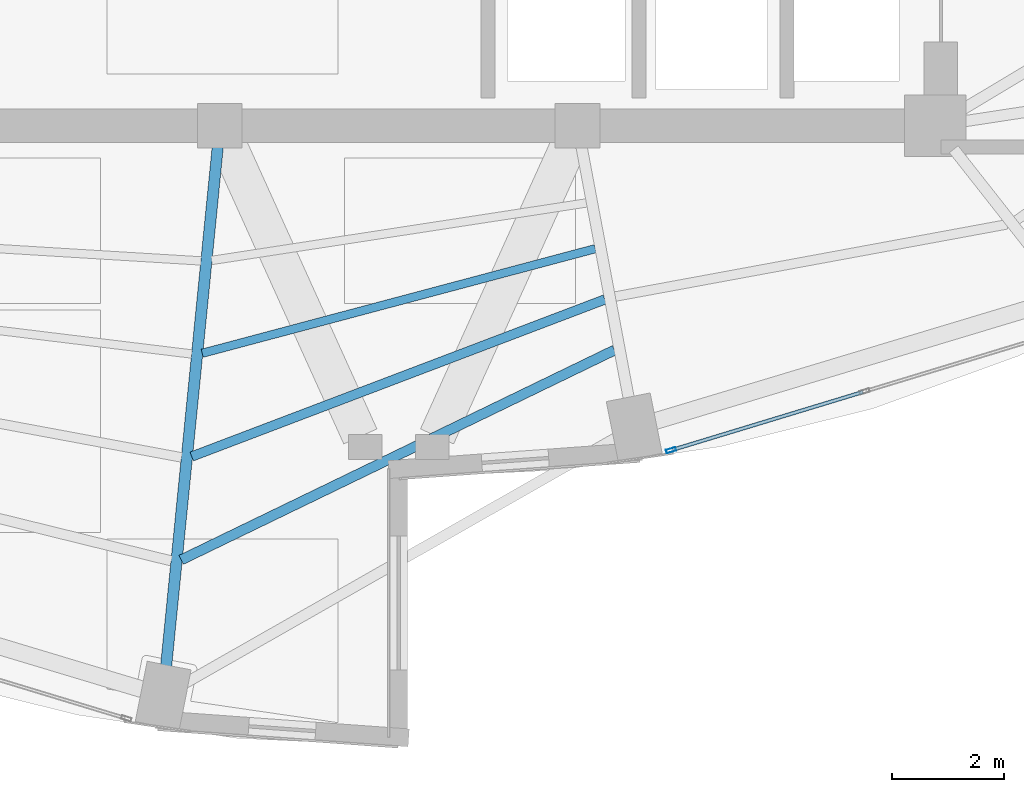
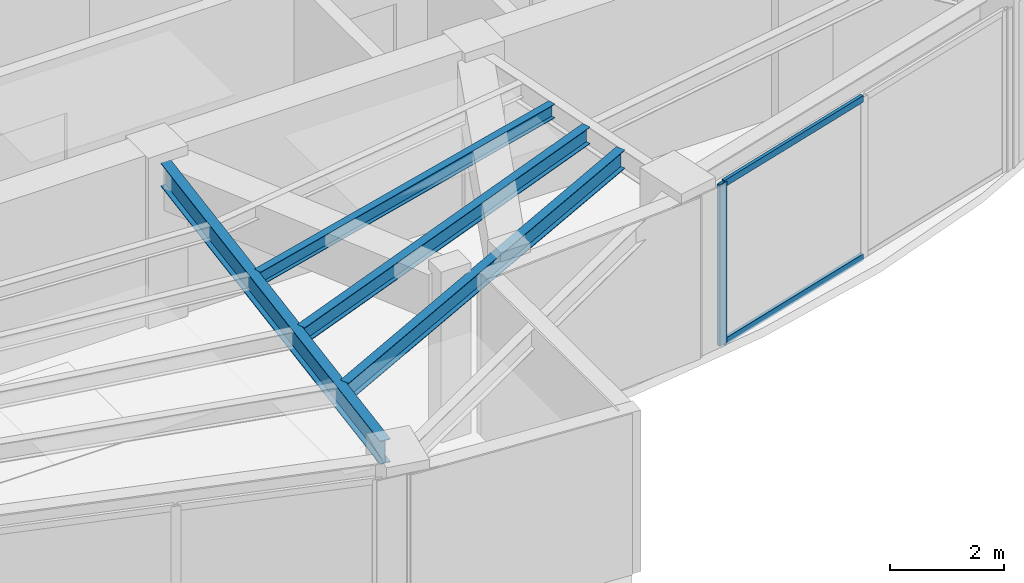
# One storey, part 6 of 23: 4 beams, 3 members, 1 element without a shape of its own.
"""IFC4 building model written with IfcOpenShell, lengths in metres."""

from ifc_helpers import new_model, si_unit, direction, frame, origin, origin_2d, place, context, subcontext, project, spatial, hollow_rectangle, i_section, extrude, material, layer, layer_set, material_profile, profile_set, type_object, element, aggregate, save


model = new_model("IFC4")

# Units and contexts
model_context = context("Model", 3, precision=1e-05, world=origin(), true_north=direction((0.0, 1.0)))
body_context = subcontext(model_context, "Body", "Model", "MODEL_VIEW")
ifc_project = project(units=[si_unit("LENGTHUNIT", "METRE"), si_unit("AREAUNIT", "SQUARE_METRE"), si_unit("VOLUMEUNIT", "CUBIC_METRE"), si_unit("PLANEANGLEUNIT", "RADIAN"), si_unit("MASSUNIT", "GRAM", prefix="KILO")], contexts=[model_context])

# Site, building, storey
site_placement = place(None, origin())
site = spatial("IfcSite", under=ifc_project, at=site_placement, CompositionType="ELEMENT")
building_placement = place(site_placement, origin())
building = spatial("IfcBuilding", under=site, at=building_placement, Name="Lazwardi Medical Tower", CompositionType="ELEMENT")
storey_placement = place(building_placement, frame((0.0, 0.0, 198.47998046875)))
storey = spatial("IfcBuildingStorey", under=building, at=storey_placement, Name="L51", CompositionType="ELEMENT", Elevation=198.47998046875)

# Beams
ifc_material_1 = material(Name="Steel S355", Category="steel")
ifc_material_profile_1 = material_profile(ifc_material_1, i_section(OverallWidth=0.199951171875, OverallDepth=0.5, WebThickness=0.01025390625, FlangeThickness=0.01611328125, at=origin_2d()), Name="IPE 500")
ifc_profile_set_1 = profile_set([ifc_material_profile_1], Name="Steel S355")
beam_type_1 = type_object("IfcBeamType", Name="BM-RG-W3", PredefinedType="BEAM", material=ifc_profile_set_1)
beam_1_placement = place(storey_placement, frame((31.8388671875, 10.734130859375, 3.197998046875), z_axis=(0.098954361922, 0.995091972763, 0.0), x_axis=(-0.995091972763, 0.098954361922, 0.0)))
element("IfcBeam", 1, at=beam_1_placement, inside=storey, type_object=beam_type_1, Name="Radial girder RG-04 R16 L51", PredefinedType="BEAM", context=body_context, shape_type="SweptSolid", body=[
    extrude(i_section(OverallWidth=0.199951171875, OverallDepth=0.5, WebThickness=0.01025390625, FlangeThickness=0.01611328125, at=origin_2d()), origin(), (0.0, 0.0, 1.0), 9.32861328125),
])
ifc_material_profile_2 = material_profile(ifc_material_1, i_section(OverallWidth=0.179931640625, OverallDepth=0.39990234375, WebThickness=0.008544921875, FlangeThickness=0.013427734375, at=origin_2d()), Name="IPE 400")
ifc_profile_set_2 = profile_set([ifc_material_profile_2], Name="Steel S355")
beam_type_2 = type_object("IfcBeamType", Name="BM-SJ-01", PredefinedType="JOIST", material=ifc_profile_set_2)
beam_2_placement = place(storey_placement, frame((32.10888671875, 12.632080078125, 3.248046875), z_axis=(0.900068885459, 0.435747635024, 0.0), x_axis=(-0.435747635024, 0.900068885459, 0.0)))
element("IfcBeam", 2, at=beam_2_placement, inside=storey, type_object=beam_type_2, Name="Secondary joist SJ-01 R1 B16 L51", PredefinedType="JOIST", context=body_context, shape_type="SweptSolid", body=[
    extrude(i_section(OverallWidth=0.179931640625, OverallDepth=0.39990234375, WebThickness=0.008544921875, FlangeThickness=0.013427734375, at=origin_2d()), origin(), (0.0, 0.0, 1.0), 8.612548828125),
])
ifc_material_profile_3 = material_profile(ifc_material_1, i_section(OverallWidth=0.169921875, OverallDepth=0.360107421875, WebThickness=0.008056640625, FlangeThickness=0.0126953125, at=origin_2d()), Name="IPE 360")
ifc_profile_set_3 = profile_set([ifc_material_profile_3], Name="Steel S355")
beam_type_3 = type_object("IfcBeamType", Name="BM-SJ-02", PredefinedType="JOIST", material=ifc_profile_set_3)
beam_3_placement = place(storey_placement, frame((32.296875, 14.48095703125, 3.26806640625), z_axis=(0.934714470268, 0.355399576633, 0.0), x_axis=(-0.355399576633, 0.934714470268, 0.0)))
element("IfcBeam", 3, at=beam_3_placement, inside=storey, type_object=beam_type_3, Name="Secondary joist SJ-02 R2 B16 L51", PredefinedType="JOIST", context=body_context, shape_type="SweptSolid", body=[
    extrude(i_section(OverallWidth=0.169921875, OverallDepth=0.360107421875, WebThickness=0.008056640625, FlangeThickness=0.0126953125, at=origin_2d()), origin(), (0.0, 0.0, 1.0), 7.908203125),
])
ifc_material_profile_4 = material_profile(ifc_material_1, i_section(OverallWidth=0.14990234375, OverallDepth=0.300048828125, WebThickness=0.007080078125, FlangeThickness=0.0107421875, at=origin_2d()), Name="IPE 300")
ifc_profile_set_4 = profile_set([ifc_material_profile_4], Name="Steel S355")
beam_type_4 = type_object("IfcBeamType", Name="BM-SJ-03", PredefinedType="JOIST", material=ifc_profile_set_4)
beam_4_placement = place(storey_placement, frame((32.484619140625, 16.328125, 3.298095703125), z_axis=(0.966369007826, 0.257159368316, 0.0), x_axis=(-0.257159368316, 0.966369007826, 0.0)))
element("IfcBeam", 4, at=beam_4_placement, inside=storey, type_object=beam_type_4, Name="Secondary joist SJ-03 R3 B16 L51", PredefinedType="JOIST", context=body_context, shape_type="SweptSolid", body=[
    extrude(i_section(OverallWidth=0.14990234375, OverallDepth=0.300048828125, WebThickness=0.007080078125, FlangeThickness=0.0107421875, at=origin_2d()), origin(), (0.0, 0.0, 1.0), 7.27685546875),
])

# Curtain wall, members
ifc_material_2 = material(Name="Anodised bronze aluminium and solar control glazing", Category="aluminium")
ifc_layer = layer(ifc_material_2, 0.18994140625)
ifc_layer_set = layer_set([ifc_layer], Name="Anodised bronze aluminium and solar control glazing")
curtain_wall_type = type_object("IfcCurtainWallType", Name="CW-SYS-04", PredefinedType="NOTDEFINED", material=ifc_layer_set)
curtain_wall_placement = place(storey_placement, origin())
curtain_wall = element("IfcCurtainWall", 5, at=curtain_wall_placement, inside=storey, type_object=curtain_wall_type, Name="L51 Unitised bronze curtain wall CW-04", PredefinedType="NOTDEFINED")
ifc_material_3 = material(Name="Anodised bronze aluminium", Category="aluminium")
ifc_material_profile_5 = material_profile(ifc_material_3, hollow_rectangle(XDim=0.06494140625, YDim=0.179931640625, WallThickness=0.00390625, at=origin_2d()), Name="ALU-MULLION 180x65x4")
ifc_profile_set_5 = profile_set([ifc_material_profile_5], Name="Anodised bronze aluminium")
member_type_1 = type_object("IfcMemberType", Name="CW-MUL-03", PredefinedType="MULLION", material=ifc_profile_set_5)
member_1_placement = place(storey_placement, frame((40.873046875, 14.593017578125, 0.0), z_axis=(0.0, 0.0, 1.0), x_axis=(-0.290581889515, 0.956850126972, 0.0)))
member_1 = element("IfcMember", 6, at=member_1_placement, type_object=member_type_1, Name="CW-04 mullion 1", PredefinedType="MULLION", context=body_context, shape_type="SweptSolid", body=[
    extrude(hollow_rectangle(XDim=0.06494140625, YDim=0.179931640625, WallThickness=0.00390625, at=origin_2d()), origin(), (0.0, 0.0, 1.0), 3.447998046875),
])
ifc_material_profile_6 = material_profile(ifc_material_3, hollow_rectangle(XDim=0.06494140625, YDim=0.139892578125, WallThickness=0.00341796875, at=origin_2d()), Name="ALU-TRANSOM 140x65x3.5")
ifc_profile_set_6 = profile_set([ifc_material_profile_6], Name="Anodised bronze aluminium")
member_type_2 = type_object("IfcMemberType", Name="CW-TRN-03", PredefinedType="USERDEFINED", material=ifc_profile_set_6)
member_2_placement = place(storey_placement, frame((40.904296875, 14.602294921875, 0.032470703125), z_axis=(0.956843409009, 0.290604010015, 0.0), x_axis=(-0.290604010015, 0.956843409009, 0.0)))
member_2 = element("IfcMember", 7, at=member_2_placement, type_object=member_type_2, Name="CW-04 transom 1.1", ObjectType="TRANSOM", PredefinedType="USERDEFINED", context=body_context, shape_type="SweptSolid", body=[
    extrude(hollow_rectangle(XDim=0.06494140625, YDim=0.139892578125, WallThickness=0.00341796875, at=origin_2d()), origin(), (0.0, 0.0, 1.0), 3.554443359375),
])
member_3_placement = place(storey_placement, frame((40.904296875, 14.602294921875, 3.41552734375), z_axis=(0.956843409009, 0.290604010015, 0.0), x_axis=(-0.290604010015, 0.956843409009, 0.0)))
member_3 = element("IfcMember", 8, at=member_3_placement, type_object=member_type_2, Name="CW-04 transom 1.2", ObjectType="TRANSOM", PredefinedType="USERDEFINED", context=body_context, shape_type="SweptSolid", body=[
    extrude(hollow_rectangle(XDim=0.06494140625, YDim=0.139892578125, WallThickness=0.00341796875, at=origin_2d()), origin(), (0.0, 0.0, 1.0), 3.554443359375),
])
aggregate(curtain_wall, [member_1, member_2, member_3])

save(model, "model.ifc")
